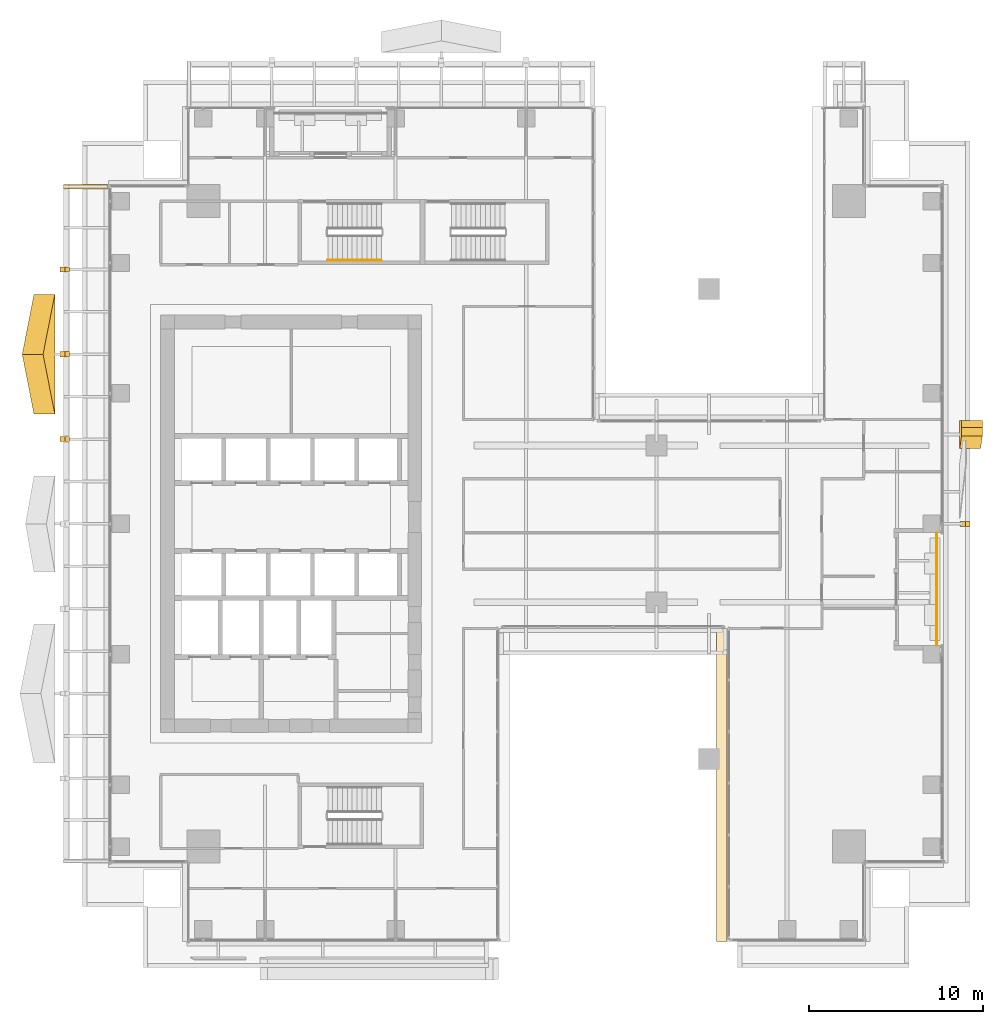
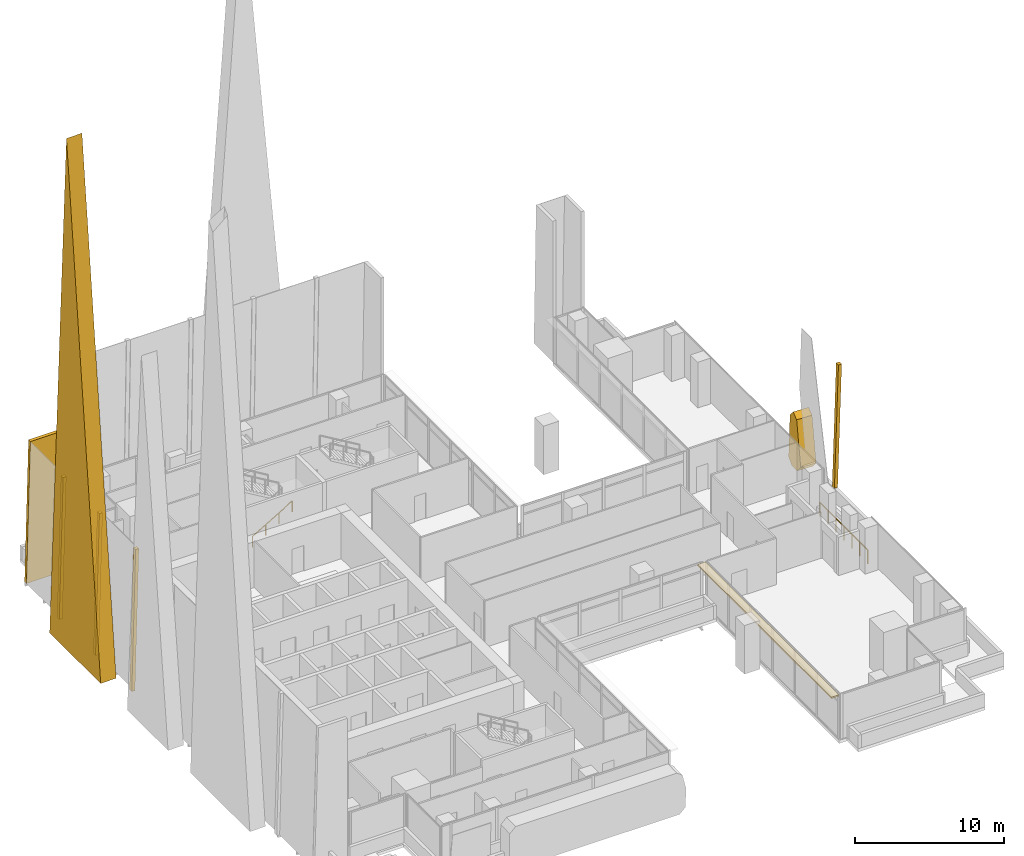
# One storey, part 40 of 43: 8 coverings, 2 railings.
"""IFC4 building model written with IfcOpenShell, lengths in metres."""

from ifc_helpers import new_model, si_unit, direction, frame, origin, origin_2d, place, context, subcontext, project, spatial, polyline, circle, outline, extrude, source, transform, mapped, material, layer, layer_set, type_object, element, save


model = new_model("IFC4")

# Units and contexts
model_context = context("Model", 3, precision=1e-05, world=origin(), true_north=direction((0.0, 1.0)))
body_context = subcontext(model_context, "Body", "Model", "MODEL_VIEW")
ifc_project = project(units=[si_unit("LENGTHUNIT", "METRE"), si_unit("AREAUNIT", "SQUARE_METRE"), si_unit("VOLUMEUNIT", "CUBIC_METRE"), si_unit("PLANEANGLEUNIT", "RADIAN"), si_unit("MASSUNIT", "GRAM", prefix="KILO")], contexts=[model_context])

# Site, building, storey
site_placement = place(None, origin())
site = spatial("IfcSite", under=ifc_project, at=site_placement, CompositionType="ELEMENT")
building_placement = place(site_placement, origin())
building = spatial("IfcBuilding", under=site, at=building_placement, Name="Khomas Fold Tower", CompositionType="ELEMENT")
storey_placement = place(building_placement, frame((0.0, 0.0, 164.699951171875)))
storey = spatial("IfcBuildingStorey", under=building, at=storey_placement, Name="L35", CompositionType="ELEMENT", Elevation=164.699951171875)

# Coverings
ifc_material_1 = material(Name="Natural stone cladding", Category="masonry")
ifc_layer_1 = layer(ifc_material_1, 0.25)
ifc_layer_set_1 = layer_set([ifc_layer_1], Name="Natural stone cladding")
covering_type_1 = type_object("IfcCoveringType", Name="SK-Karibib marble stone mullion", PredefinedType="CLADDING", material=ifc_layer_set_1)
covering_1_placement = place(storey_placement, frame((51.947021484375, 27.14990234375, 1.5), z_axis=(-0.999510812548, 0.000237452671, 0.031274258037), x_axis=(-0.000237336518, -0.999999971808, 7.426156e-06)))
element("IfcCovering", 1, at=covering_1_placement, inside=storey, type_object=covering_type_1, Name="OUTER SKIN mullion L35 EM103-2", PredefinedType="CLADDING", context=body_context, shape_type="SweptSolid", body=[
    extrude(outline(polyline([(0.0, 0.0), (0.26391600818470984, 0.0), (0.299804712856179, 0.12945340178895415), (0.29980468107147923, 10.054967041987076), (2.023538705440151e-09, 10.054967041987076), (0.0, 0.0)])), origin(), (0.0, 0.0, -1.0), 0.25),
])
for number, where, z_axis, x_axis, name in (
    (2, (0.205078125, 31.72509765625, 0.006591796875), (-0.999657230839, 0.0, 0.026180543005), (0.0, 1.0, 0.0), "OUTER SKIN mullion L35 W10"),
    (3, (0.205078125, 36.60009765625, 0.006591796875), (-0.999657230839, 0.0, 0.026180543005), (0.0, 1.0, 0.0), "OUTER SKIN mullion L35 W12"),
    (4, (0.205078125, 41.47509765625, 0.006591796875), (-0.999657230839, 0.0, 0.026180543005), (0.0, 1.0, 0.0), "OUTER SKIN mullion L35 W14"),
):
    element("IfcCovering", number, at=place(storey_placement, frame(where, z_axis=z_axis, x_axis=x_axis)), inside=storey, type_object=covering_type_1, Name=name, PredefinedType="CLADDING", context=body_context, shape_type="SweptSolid", body=[
        extrude(outline(polyline([(0.0, 0.0), (0.2998046875, 0.0), (0.2998046875, -11.554009186164079), (0.0, -11.554009186164079), (0.0, 0.0)])), origin(), (0.0, 0.0, -1.0), 0.25),
    ])
covering_2_placement = place(storey_placement, frame((2.949951171875, 46.5, 0.0), z_axis=(0.0, 1.0, 0.0), x_axis=(-1.0, 0.0, 0.0)))
element("IfcCovering", 5, at=covering_2_placement, inside=storey, type_object=covering_type_1, Name="OUTER SKIN return L35 W2", PredefinedType="CLADDING", context=body_context, shape_type="SweptSolid", body=[
    extrude(outline(polyline([(0.0, 0.0), (2.534912109375, 0.0), (2.232666015625, 11.550048828125), (0.0, 11.550048828125), (0.0, 0.0)])), origin(), (0.0, 0.0, -1.0), 0.25),
])
ifc_material_2 = material(Name="Natural stone cladding", Category="masonry")
ifc_layer_2 = layer(ifc_material_2, 1.199951171875)
ifc_layer_set_2 = layer_set([ifc_layer_2], Name="Natural stone cladding")
covering_type_2 = type_object("IfcCoveringType", Name="SK-Karibib marble stone panel", PredefinedType="CLADDING", material=ifc_layer_set_2)
covering_3_placement = place(storey_placement, frame((51.89990234375, 32.5, 0.0), z_axis=(-0.999510154647, 1.5363464e-05, 0.031296174217), x_axis=(-1.5355938e-05, -0.999999999882, 4.80818e-07)))
element("IfcCovering", 6, at=covering_3_placement, inside=storey, type_object=covering_type_2, Name="OUTER SKIN leaf L35 ES06-1", PredefinedType="CLADDING", context=body_context, shape_type="SweptSolid", body=[
    extrude(outline(polyline([(0.0, 0.0), (0.7343749999133306, 7.77549775799846e-23), (1.1743164053367154, 0.5444577312420701), (0.4399414057356826, 3.97753525611628), (-0.047363280553019874, 4.330977522177183), (-0.4499511726076223, 3.883251449028855), (-0.4499511729199199, 0.4501739241546453), (0.0, 0.0)])), origin(), (0.0, 0.0, -1.0), 1.199951171875),
])
covering_4_placement = place(storey_placement, frame((-0.088623046875, 33.318115234375, 0.25), z_axis=(0.999876401328, 0.0, 0.01572202492), x_axis=(0.0, 1.0, 0.0)))
element("IfcCovering", 7, at=covering_4_placement, inside=storey, type_object=covering_type_2, Name="OUTER SKIN blade L35 WZ3-3", PredefinedType="CLADDING", context=body_context, shape_type="SweptSolid", body=[
    extrude(outline(polyline([(0.0, 0.0), (6.86376953125, 0.0), (3.431884765625, 42.9054495409643), (0.0, 0.0)])), origin(), (0.0, 0.0, -1.0), 1.199951171875),
])

# Railing
ifc_material_3 = material(Name="Powder-coated steel", Category="steel")
railing_type_1 = type_object("IfcRailingType", Name="Balcony guard", PredefinedType="GUARDRAIL", material=ifc_material_3)
shared_shape_1 = source(origin(), body_context, "Body", "SweptSolid", [
    extrude(circle(Radius=0.02490234375, at=origin_2d()), frame((0.0, 0.0, 1.125), z_axis=(0.0, 1.0, 0.0), x_axis=(-1.0, 0.0, 0.0)), (0.0, 0.0, 1.0), 6.43994140625),
    extrude(circle(Radius=0.02001953125, at=origin_2d()), origin(), (0.0, 0.0, 1.0), 1.099853515625),
    extrude(circle(Radius=0.02001953125, at=origin_2d()), frame((0.0, 1.0732421875, 0.0)), (0.0, 0.0, 1.0), 1.099853515625),
    extrude(circle(Radius=0.02001953125, at=origin_2d()), frame((0.0, 2.146728515625, 0.0)), (0.0, 0.0, 1.0), 1.099853515625),
    extrude(circle(Radius=0.02001953125, at=origin_2d()), frame((0.0, 3.219970703125, 0.0)), (0.0, 0.0, 1.0), 1.099853515625),
    extrude(circle(Radius=0.02001953125, at=origin_2d()), frame((0.0, 4.293212890625, 0.0)), (0.0, 0.0, 1.0), 1.099853515625),
    extrude(circle(Radius=0.02001953125, at=origin_2d()), frame((0.0, 5.36669921875, 0.0)), (0.0, 0.0, 1.0), 1.099853515625),
    extrude(circle(Radius=0.02001953125, at=origin_2d()), frame((0.0, 6.43994140625, 0.0)), (0.0, 0.0, 1.0), 1.099853515625),
])
railing_1_placement = place(storey_placement, frame((50.60009765625, 20.030029296875, -0.044921875)))
element("IfcRailing", 8, at=railing_1_placement, inside=storey, type_object=railing_type_1, Name="Balcony guard BAL-L35-E2", PredefinedType="GUARDRAIL", context=body_context, shape_type="MappedRepresentation", body=[
    mapped(shared_shape_1, transform((0.0, 0.0, 0.0))),
])

# Covering
ifc_material_4 = material(Name="Natural stone cladding", Category="masonry")
ifc_layer_3 = layer(ifc_material_4, 0.1201171875)
ifc_layer_set_3 = layer_set([ifc_layer_3], Name="Natural stone cladding")
covering_type_3 = type_object("IfcCoveringType", Name="Notch soffit stone GN-SF", PredefinedType="CLADDING", material=ifc_layer_set_3)
shared_shape_2 = source(origin(), body_context, "Body", "SweptSolid", [
    extrude(outline(polyline([(37.949951171875, 21.0), (37.949951171875, 3.0), (38.550048828125, 3.0), (38.550048828125, 21.0), (37.949951171875, 21.0)])), origin(), (0.0, 0.0, 1.0), 0.119873046875),
])
covering_5_placement = place(storey_placement, frame((0.0, 0.0, 3.630126953125)))
element("IfcCovering", 9, at=covering_5_placement, inside=storey, type_object=covering_type_3, Name="Notch soffit stone", PredefinedType="CLADDING", context=body_context, shape_type="MappedRepresentation", body=[
    mapped(shared_shape_2, transform((0.0, 0.0, 0.0))),
])

# Railing
ifc_material_5 = material(Name="Steel handrail", Category="steel")
railing_type_2 = type_object("IfcRailingType", Name="Stair handrail", PredefinedType="HANDRAIL", material=ifc_material_5)
shared_shape_3 = source(origin(), body_context, "Body", "SweptSolid", [
    extrude(circle(Radius=0.02392578125, at=origin_2d()), frame((0.0, 0.0, 0.8759765625), z_axis=(0.859290745958, 0.0, 0.51148745235), x_axis=(0.0, 1.0, 0.0)), (0.0, 0.0, 1.0), 3.584228515625),
    extrude(circle(Radius=0.02099609375, at=origin_2d()), origin(), (0.0, 0.0, 1.0), 0.851806640625),
    extrude(circle(Radius=0.02099609375, at=origin_2d()), frame((1.026611328125, 0.0, 0.611083984375)), (0.0, 0.0, 1.0), 0.851806640625),
    extrude(circle(Radius=0.02099609375, at=origin_2d()), frame((2.05322265625, 0.0, 1.22216796875)), (0.0, 0.0, 1.0), 0.851806640625),
    extrude(circle(Radius=0.02099609375, at=origin_2d()), frame((3.079833984375, 0.0, 1.833251953125)), (0.0, 0.0, 1.0), 0.851806640625),
])
railing_2_placement = place(storey_placement, frame((15.60009765625, 42.14990234375, 0.166748046875)))
element("IfcRailing", 10, at=railing_2_placement, inside=storey, type_object=railing_type_2, Name="L35 ST1 stair handrail 1", PredefinedType="HANDRAIL", context=body_context, shape_type="MappedRepresentation", body=[
    mapped(shared_shape_3, transform((0.0, 0.0, 0.0))),
])

save(model, "model.ifc")
